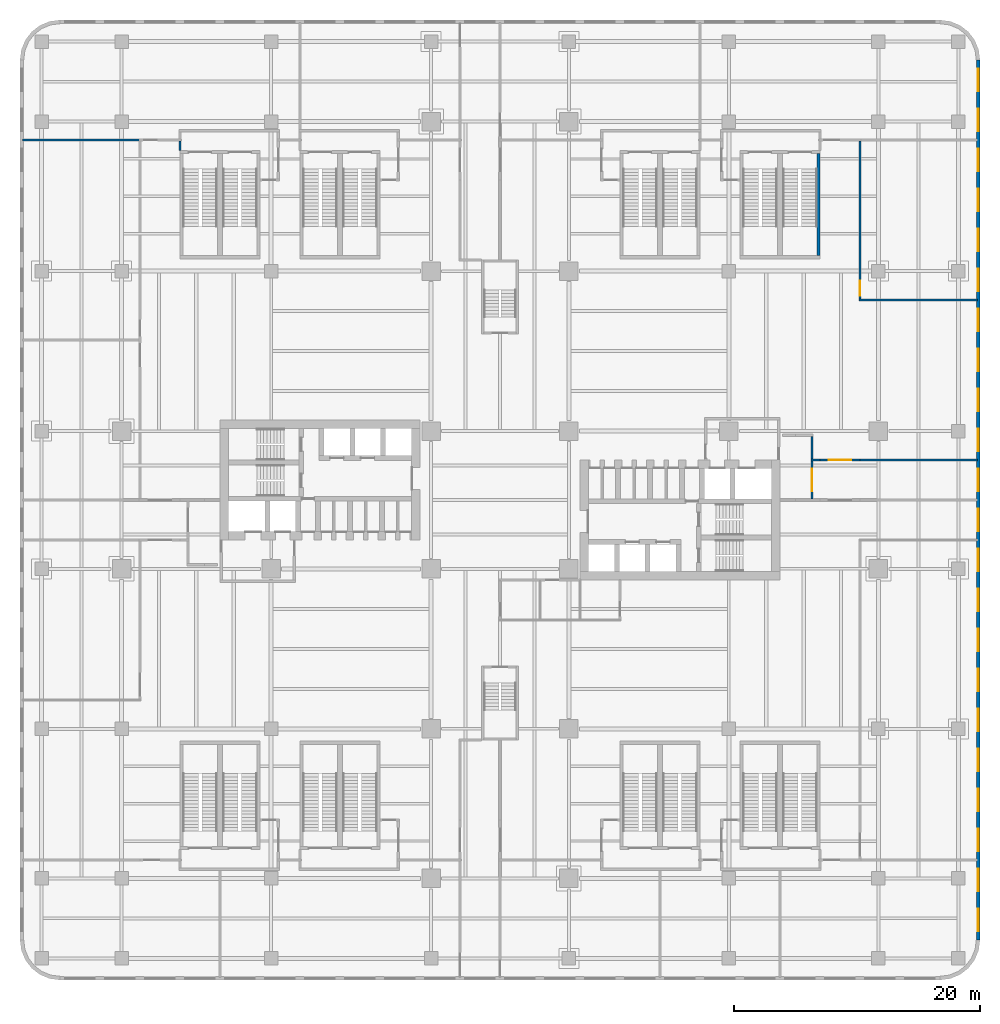
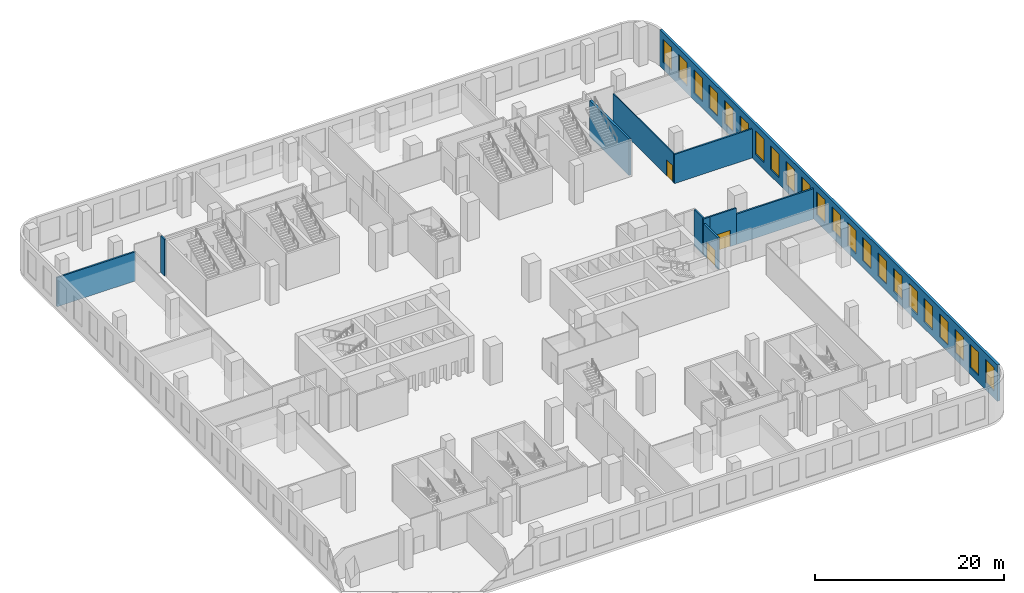
# One storey, part 12 of 17: 22 windows, 11 walls, 3 doors, 25 openings.
"""IFC4 building model written with IfcOpenShell, lengths in metres."""

from ifc_helpers import new_model, si_unit, direction, frame, frame_2d, origin, place, context, subcontext, project, spatial, rectangle, extrude, source, transform, mapped, material, layer, layer_set, type_object, element, fill, save


model = new_model("IFC4")

# Units and contexts
model_context = context("Model", 3, precision=1e-05, world=origin(), true_north=direction((0.0, 1.0)))
body_context = subcontext(model_context, "Body", "Model", "MODEL_VIEW")
ifc_project = project(units=[si_unit("LENGTHUNIT", "METRE"), si_unit("AREAUNIT", "SQUARE_METRE"), si_unit("VOLUMEUNIT", "CUBIC_METRE"), si_unit("PLANEANGLEUNIT", "RADIAN"), si_unit("MASSUNIT", "GRAM", prefix="KILO")], contexts=[model_context])

# Site, building, storey
site_placement = place(None, origin())
site = spatial("IfcSite", under=ifc_project, at=site_placement, CompositionType="ELEMENT")
building_placement = place(site_placement, origin())
building = spatial("IfcBuilding", under=site, at=building_placement, Name="Trellis Farm Tower", CompositionType="ELEMENT")
storey_placement = place(building_placement, frame((0.0, 0.0, 19.0)))
storey = spatial("IfcBuildingStorey", under=building, at=storey_placement, Name="L03", CompositionType="ELEMENT", Elevation=19.0)

# Wall, opening, door
ifc_material_1 = material(Name="Lightweight blockwork, plastered", Category="masonry")
ifc_layer_1 = layer(ifc_material_1, 0.199951171875)
ifc_layer_set_1 = layer_set([ifc_layer_1], Name="BLOCK WALL 200 EI 120")
wall_type_1 = type_object("IfcWallType", Name="BLOCK WALL 200 EI 120", PredefinedType="PARTITIONING", material=ifc_layer_set_1)
shared_shape_1 = source(origin(), body_context, "Body", "SweptSolid", [
    extrude(rectangle(XDim=3.25, YDim=0.199951171875, at=frame_2d((1.625, 0.0))), origin(), (0.0, 0.0, 1.0), 4.699951171875),
])
wall_1_placement = place(storey_placement, frame((26.0, 3.25, 0.0), z_axis=(0.0, 0.0, 1.0), x_axis=(1.0, 0.0, 0.0)))
wall_1 = element("IfcWall", 1, at=wall_1_placement, inside=storey, type_object=wall_type_1, Name="Partition PW3", PredefinedType="PARTITIONING", context=body_context, shape_type="MappedRepresentation", body=[
    mapped(shared_shape_1, transform((0.0, 0.0, 0.0))),
])
shared_shape_2 = source(origin(), body_context, "Body", "SweptSolid", [
    extrude(rectangle(XDim=1.800048828125, YDim=2.10009765625, at=frame_2d((0.89990234375, 1.050048828125))), frame((0.0, 0.110107421875, 0.0), z_axis=(0.0, -1.0, 0.0), x_axis=(1.0, 0.0, 0.0)), (0.0, 0.0, 1.0), 0.22021484375),
])
opening_1_placement = place(wall_1_placement, frame((0.72509765625, 0.0, 0.0)))
opening_1 = element("IfcOpeningElement", 2, at=opening_1_placement, cuts=wall_1, Name="Opening D412", PredefinedType="OPENING", context=body_context, shape_type="MappedRepresentation", body=[
    mapped(shared_shape_2, transform((0.0, 0.0, 0.0))),
])
ifc_material_2 = material(Name="Fire-rated timber door leaf in a hollow metal frame", Category="wood")
door_type_1 = type_object("IfcDoorType", Name="DOOR PAIR 1800x2100 FD60", OperationType="NOTDEFINED", PredefinedType="DOOR", material=ifc_material_2)
shared_shape_3 = source(origin(), body_context, "Body", "SweptSolid", [
    extrude(rectangle(XDim=1.800048828125, YDim=2.10009765625, at=frame_2d((0.89990234375, 1.050048828125))), frame((0.0, 0.02490234375, 0.0), z_axis=(0.0, -1.0, 0.0), x_axis=(1.0, 0.0, 0.0)), (0.0, 0.0, 1.0), 0.050048828125),
])
door_1_placement = place(opening_1_placement, origin())
door_1 = element("IfcDoor", 3, at=door_1_placement, inside=storey, type_object=door_type_1, Name="Door D412", OperationType="DOUBLE_DOOR_SINGLE_SWING", OverallHeight=2.10009765625, OverallWidth=1.800048828125, PredefinedType="DOOR", context=body_context, shape_type="MappedRepresentation", body=[
    mapped(shared_shape_3, transform((0.0, 0.0, 0.0))),
])
fill(opening_1, door_1)

# Wall
ifc_material_3 = material(Name="Concrete C80/95", Category="concrete")
ifc_layer_2 = layer(ifc_material_3, 0.25)
ifc_layer_set_2 = layer_set([ifc_layer_2], Name="CORE STAIR ENCLOSURE WALL 250 CONCRETE C80/95")
wall_type_2 = type_object("IfcWallType", Name="CORE STAIR ENCLOSURE WALL 250 CONCRETE C80/95", PredefinedType="SHEAR", material=ifc_layer_set_2)
shared_shape_4 = source(origin(), body_context, "Body", "SweptSolid", [
    extrude(rectangle(XDim=8.2998046875, YDim=0.25, at=frame_2d((4.14990234375, 0.0))), origin(), (0.0, 0.0, 1.0), 4.699951171875),
])
wall_2_placement = place(storey_placement, frame((25.875, 19.85009765625, 0.0), z_axis=(0.0, 0.0, 1.0), x_axis=(0.0, 1.0, 0.0)))
element("IfcWall", 4, at=wall_2_placement, inside=storey, type_object=wall_type_2, Name="Podium stair enclosure wall", PredefinedType="SHEAR", context=body_context, shape_type="MappedRepresentation", body=[
    mapped(shared_shape_4, transform((0.0, 0.0, 0.0))),
])

# Wall, openings, windows
ifc_material_4 = material(Name="Sandstone faced insulated wall", Category="masonry")
ifc_layer_3 = layer(ifc_material_4, 0.300048828125)
ifc_layer_set_3 = layer_set([ifc_layer_3], Name="STONE CLAD EXTERNAL WALL 300")
wall_type_3 = type_object("IfcWallType", Name="STONE CLAD EXTERNAL WALL 300", PredefinedType="SOLIDWALL", material=ifc_layer_set_3)
shared_shape_5 = source(origin(), body_context, "Body", "SweptSolid", [
    extrude(rectangle(XDim=71.5, YDim=0.300048828125, at=frame_2d((35.75, 0.0))), origin(), (0.0, 0.0, 1.0), 4.699951171875),
])
wall_3_placement = place(storey_placement, frame((38.85009765625, -35.75, 0.0), z_axis=(0.0, 0.0, 1.0), x_axis=(0.0, 1.0, 0.0)))
wall_3 = element("IfcWall", 5, at=wall_3_placement, inside=storey, type_object=wall_type_3, Name="EW2 F01", PredefinedType="SOLIDWALL", context=body_context, shape_type="MappedRepresentation", body=[
    mapped(shared_shape_5, transform((0.0, 0.0, 0.0))),
])
shared_shape_6 = source(origin(), body_context, "Body", "SweptSolid", [
    extrude(rectangle(XDim=1.800048828125, YDim=3.0, at=frame_2d((0.89990234375, 1.5))), frame((0.0, 0.16015625, 0.0), z_axis=(0.0, -1.0, 0.0), x_axis=(1.0, 0.0, 0.0)), (0.0, 0.0, 1.0), 0.3203125),
])
opening_2_placement = place(wall_3_placement, frame((0.72509765625, 0.0, 0.89990234375)))
opening_2 = element("IfcOpeningElement", 6, at=opening_2_placement, cuts=wall_3, Name="Opening WN2", PredefinedType="OPENING", context=body_context, shape_type="MappedRepresentation", body=[
    mapped(shared_shape_6, transform((0.0, 0.0, 0.0))),
])
opening_3_placement = place(wall_3_placement, frame((3.97509765625, 0.0, 0.89990234375)))
opening_3 = element("IfcOpeningElement", 7, at=opening_3_placement, cuts=wall_3, Name="Opening WN2", PredefinedType="OPENING", context=body_context, shape_type="MappedRepresentation", body=[
    mapped(shared_shape_6, transform((0.0, 0.0, 0.0))),
])
opening_4_placement = place(wall_3_placement, frame((7.22509765625, 0.0, 0.89990234375)))
opening_4 = element("IfcOpeningElement", 8, at=opening_4_placement, cuts=wall_3, Name="Opening WN2", PredefinedType="OPENING", context=body_context, shape_type="MappedRepresentation", body=[
    mapped(shared_shape_6, transform((0.0, 0.0, 0.0))),
])
opening_5_placement = place(wall_3_placement, frame((10.47509765625, 0.0, 0.89990234375)))
opening_5 = element("IfcOpeningElement", 9, at=opening_5_placement, cuts=wall_3, Name="Opening WN2", PredefinedType="OPENING", context=body_context, shape_type="MappedRepresentation", body=[
    mapped(shared_shape_6, transform((0.0, 0.0, 0.0))),
])
opening_6_placement = place(wall_3_placement, frame((13.72509765625, 0.0, 0.89990234375)))
opening_6 = element("IfcOpeningElement", 10, at=opening_6_placement, cuts=wall_3, Name="Opening WN2", PredefinedType="OPENING", context=body_context, shape_type="MappedRepresentation", body=[
    mapped(shared_shape_6, transform((0.0, 0.0, 0.0))),
])
opening_7_placement = place(wall_3_placement, frame((16.97509765625, 0.0, 0.89990234375)))
opening_7 = element("IfcOpeningElement", 11, at=opening_7_placement, cuts=wall_3, Name="Opening WN2", PredefinedType="OPENING", context=body_context, shape_type="MappedRepresentation", body=[
    mapped(shared_shape_6, transform((0.0, 0.0, 0.0))),
])
opening_8_placement = place(wall_3_placement, frame((20.22509765625, 0.0, 0.89990234375)))
opening_8 = element("IfcOpeningElement", 12, at=opening_8_placement, cuts=wall_3, Name="Opening WN2", PredefinedType="OPENING", context=body_context, shape_type="MappedRepresentation", body=[
    mapped(shared_shape_6, transform((0.0, 0.0, 0.0))),
])
opening_9_placement = place(wall_3_placement, frame((23.47509765625, 0.0, 0.89990234375)))
opening_9 = element("IfcOpeningElement", 13, at=opening_9_placement, cuts=wall_3, Name="Opening WN2", PredefinedType="OPENING", context=body_context, shape_type="MappedRepresentation", body=[
    mapped(shared_shape_6, transform((0.0, 0.0, 0.0))),
])
opening_10_placement = place(wall_3_placement, frame((26.72509765625, 0.0, 0.89990234375)))
opening_10 = element("IfcOpeningElement", 14, at=opening_10_placement, cuts=wall_3, Name="Opening WN2", PredefinedType="OPENING", context=body_context, shape_type="MappedRepresentation", body=[
    mapped(shared_shape_6, transform((0.0, 0.0, 0.0))),
])
opening_11_placement = place(wall_3_placement, frame((29.97509765625, 0.0, 0.89990234375)))
opening_11 = element("IfcOpeningElement", 15, at=opening_11_placement, cuts=wall_3, Name="Opening WN2", PredefinedType="OPENING", context=body_context, shape_type="MappedRepresentation", body=[
    mapped(shared_shape_6, transform((0.0, 0.0, 0.0))),
])
opening_12_placement = place(wall_3_placement, frame((33.22509765625, 0.0, 0.89990234375)))
opening_12 = element("IfcOpeningElement", 16, at=opening_12_placement, cuts=wall_3, Name="Opening WN2", PredefinedType="OPENING", context=body_context, shape_type="MappedRepresentation", body=[
    mapped(shared_shape_6, transform((0.0, 0.0, 0.0))),
])
opening_13_placement = place(wall_3_placement, frame((36.47509765625, 0.0, 0.89990234375)))
opening_13 = element("IfcOpeningElement", 17, at=opening_13_placement, cuts=wall_3, Name="Opening WN2", PredefinedType="OPENING", context=body_context, shape_type="MappedRepresentation", body=[
    mapped(shared_shape_6, transform((0.0, 0.0, 0.0))),
])
opening_14_placement = place(wall_3_placement, frame((39.72509765625, 0.0, 0.89990234375)))
opening_14 = element("IfcOpeningElement", 18, at=opening_14_placement, cuts=wall_3, Name="Opening WN2", PredefinedType="OPENING", context=body_context, shape_type="MappedRepresentation", body=[
    mapped(shared_shape_6, transform((0.0, 0.0, 0.0))),
])
opening_15_placement = place(wall_3_placement, frame((42.97509765625, 0.0, 0.89990234375)))
opening_15 = element("IfcOpeningElement", 19, at=opening_15_placement, cuts=wall_3, Name="Opening WN2", PredefinedType="OPENING", context=body_context, shape_type="MappedRepresentation", body=[
    mapped(shared_shape_6, transform((0.0, 0.0, 0.0))),
])
opening_16_placement = place(wall_3_placement, frame((46.22509765625, 0.0, 0.89990234375)))
opening_16 = element("IfcOpeningElement", 20, at=opening_16_placement, cuts=wall_3, Name="Opening WN2", PredefinedType="OPENING", context=body_context, shape_type="MappedRepresentation", body=[
    mapped(shared_shape_6, transform((0.0, 0.0, 0.0))),
])
opening_17_placement = place(wall_3_placement, frame((49.47509765625, 0.0, 0.89990234375)))
opening_17 = element("IfcOpeningElement", 21, at=opening_17_placement, cuts=wall_3, Name="Opening WN2", PredefinedType="OPENING", context=body_context, shape_type="MappedRepresentation", body=[
    mapped(shared_shape_6, transform((0.0, 0.0, 0.0))),
])
opening_18_placement = place(wall_3_placement, frame((52.72509765625, 0.0, 0.89990234375)))
opening_18 = element("IfcOpeningElement", 22, at=opening_18_placement, cuts=wall_3, Name="Opening WN2", PredefinedType="OPENING", context=body_context, shape_type="MappedRepresentation", body=[
    mapped(shared_shape_6, transform((0.0, 0.0, 0.0))),
])
opening_19_placement = place(wall_3_placement, frame((55.97509765625, 0.0, 0.89990234375)))
opening_19 = element("IfcOpeningElement", 23, at=opening_19_placement, cuts=wall_3, Name="Opening WN2", PredefinedType="OPENING", context=body_context, shape_type="MappedRepresentation", body=[
    mapped(shared_shape_6, transform((0.0, 0.0, 0.0))),
])
opening_20_placement = place(wall_3_placement, frame((59.22509765625, 0.0, 0.89990234375)))
opening_20 = element("IfcOpeningElement", 24, at=opening_20_placement, cuts=wall_3, Name="Opening WN2", PredefinedType="OPENING", context=body_context, shape_type="MappedRepresentation", body=[
    mapped(shared_shape_6, transform((0.0, 0.0, 0.0))),
])
opening_21_placement = place(wall_3_placement, frame((62.47509765625, 0.0, 0.89990234375)))
opening_21 = element("IfcOpeningElement", 25, at=opening_21_placement, cuts=wall_3, Name="Opening WN2", PredefinedType="OPENING", context=body_context, shape_type="MappedRepresentation", body=[
    mapped(shared_shape_6, transform((0.0, 0.0, 0.0))),
])
opening_22_placement = place(wall_3_placement, frame((65.72509765625, 0.0, 0.89990234375)))
opening_22 = element("IfcOpeningElement", 26, at=opening_22_placement, cuts=wall_3, Name="Opening WN2", PredefinedType="OPENING", context=body_context, shape_type="MappedRepresentation", body=[
    mapped(shared_shape_6, transform((0.0, 0.0, 0.0))),
])
opening_23_placement = place(wall_3_placement, frame((68.97509765625, 0.0, 0.89990234375)))
opening_23 = element("IfcOpeningElement", 27, at=opening_23_placement, cuts=wall_3, Name="Opening WN2", PredefinedType="OPENING", context=body_context, shape_type="MappedRepresentation", body=[
    mapped(shared_shape_6, transform((0.0, 0.0, 0.0))),
])
ifc_material_5 = material(Name="Clear insulated glass", Category="glass")
window_type = type_object("IfcWindowType", Name="PODIUM WINDOW 1800x3000", PartitioningType="SINGLE_PANEL", PredefinedType="WINDOW", material=ifc_material_5)
shared_shape_7 = source(origin(), body_context, "Body", "SweptSolid", [
    extrude(rectangle(XDim=1.800048828125, YDim=3.0, at=frame_2d((0.89990234375, 1.5))), frame((0.0, 0.030029296875, 0.0), z_axis=(0.0, -1.0, 0.0), x_axis=(1.0, 0.0, 0.0)), (0.0, 0.0, 1.0), 0.06005859375),
])
window_1_placement = place(opening_2_placement, origin())
window_1 = element("IfcWindow", 28, at=window_1_placement, inside=storey, type_object=window_type, Name="WN2 001", OverallHeight=3.0, OverallWidth=1.800048828125, PartitioningType="SINGLE_PANEL", PredefinedType="WINDOW", context=body_context, shape_type="MappedRepresentation", body=[
    mapped(shared_shape_7, transform((0.0, 0.0, 0.0))),
])
fill(opening_2, window_1)
window_2_placement = place(opening_3_placement, origin())
window_2 = element("IfcWindow", 29, at=window_2_placement, inside=storey, type_object=window_type, Name="WN2 002", OverallHeight=3.0, OverallWidth=1.800048828125, PartitioningType="SINGLE_PANEL", PredefinedType="WINDOW", context=body_context, shape_type="MappedRepresentation", body=[
    mapped(shared_shape_7, transform((0.0, 0.0, 0.0))),
])
fill(opening_3, window_2)
window_3_placement = place(opening_4_placement, origin())
window_3 = element("IfcWindow", 30, at=window_3_placement, inside=storey, type_object=window_type, Name="WN2 003", OverallHeight=3.0, OverallWidth=1.800048828125, PartitioningType="SINGLE_PANEL", PredefinedType="WINDOW", context=body_context, shape_type="MappedRepresentation", body=[
    mapped(shared_shape_7, transform((0.0, 0.0, 0.0))),
])
fill(opening_4, window_3)
window_4_placement = place(opening_5_placement, origin())
window_4 = element("IfcWindow", 31, at=window_4_placement, inside=storey, type_object=window_type, Name="WN2 004", OverallHeight=3.0, OverallWidth=1.800048828125, PartitioningType="SINGLE_PANEL", PredefinedType="WINDOW", context=body_context, shape_type="MappedRepresentation", body=[
    mapped(shared_shape_7, transform((0.0, 0.0, 0.0))),
])
fill(opening_5, window_4)
window_5_placement = place(opening_6_placement, origin())
window_5 = element("IfcWindow", 32, at=window_5_placement, inside=storey, type_object=window_type, Name="WN2 005", OverallHeight=3.0, OverallWidth=1.800048828125, PartitioningType="SINGLE_PANEL", PredefinedType="WINDOW", context=body_context, shape_type="MappedRepresentation", body=[
    mapped(shared_shape_7, transform((0.0, 0.0, 0.0))),
])
fill(opening_6, window_5)
window_6_placement = place(opening_7_placement, origin())
window_6 = element("IfcWindow", 33, at=window_6_placement, inside=storey, type_object=window_type, Name="WN2 006", OverallHeight=3.0, OverallWidth=1.800048828125, PartitioningType="SINGLE_PANEL", PredefinedType="WINDOW", context=body_context, shape_type="MappedRepresentation", body=[
    mapped(shared_shape_7, transform((0.0, 0.0, 0.0))),
])
fill(opening_7, window_6)
window_7_placement = place(opening_8_placement, origin())
window_7 = element("IfcWindow", 34, at=window_7_placement, inside=storey, type_object=window_type, Name="WN2 007", OverallHeight=3.0, OverallWidth=1.800048828125, PartitioningType="SINGLE_PANEL", PredefinedType="WINDOW", context=body_context, shape_type="MappedRepresentation", body=[
    mapped(shared_shape_7, transform((0.0, 0.0, 0.0))),
])
fill(opening_8, window_7)
window_8_placement = place(opening_9_placement, origin())
window_8 = element("IfcWindow", 35, at=window_8_placement, inside=storey, type_object=window_type, Name="WN2 008", OverallHeight=3.0, OverallWidth=1.800048828125, PartitioningType="SINGLE_PANEL", PredefinedType="WINDOW", context=body_context, shape_type="MappedRepresentation", body=[
    mapped(shared_shape_7, transform((0.0, 0.0, 0.0))),
])
fill(opening_9, window_8)
window_9_placement = place(opening_10_placement, origin())
window_9 = element("IfcWindow", 36, at=window_9_placement, inside=storey, type_object=window_type, Name="WN2 009", OverallHeight=3.0, OverallWidth=1.800048828125, PartitioningType="SINGLE_PANEL", PredefinedType="WINDOW", context=body_context, shape_type="MappedRepresentation", body=[
    mapped(shared_shape_7, transform((0.0, 0.0, 0.0))),
])
fill(opening_10, window_9)
window_10_placement = place(opening_11_placement, origin())
window_10 = element("IfcWindow", 37, at=window_10_placement, inside=storey, type_object=window_type, Name="WN2 010", OverallHeight=3.0, OverallWidth=1.800048828125, PartitioningType="SINGLE_PANEL", PredefinedType="WINDOW", context=body_context, shape_type="MappedRepresentation", body=[
    mapped(shared_shape_7, transform((0.0, 0.0, 0.0))),
])
fill(opening_11, window_10)
window_11_placement = place(opening_12_placement, origin())
window_11 = element("IfcWindow", 38, at=window_11_placement, inside=storey, type_object=window_type, Name="WN2 011", OverallHeight=3.0, OverallWidth=1.800048828125, PartitioningType="SINGLE_PANEL", PredefinedType="WINDOW", context=body_context, shape_type="MappedRepresentation", body=[
    mapped(shared_shape_7, transform((0.0, 0.0, 0.0))),
])
fill(opening_12, window_11)
window_12_placement = place(opening_13_placement, origin())
window_12 = element("IfcWindow", 39, at=window_12_placement, inside=storey, type_object=window_type, Name="WN2 012", OverallHeight=3.0, OverallWidth=1.800048828125, PartitioningType="SINGLE_PANEL", PredefinedType="WINDOW", context=body_context, shape_type="MappedRepresentation", body=[
    mapped(shared_shape_7, transform((0.0, 0.0, 0.0))),
])
fill(opening_13, window_12)
window_13_placement = place(opening_14_placement, origin())
window_13 = element("IfcWindow", 40, at=window_13_placement, inside=storey, type_object=window_type, Name="WN2 013", OverallHeight=3.0, OverallWidth=1.800048828125, PartitioningType="SINGLE_PANEL", PredefinedType="WINDOW", context=body_context, shape_type="MappedRepresentation", body=[
    mapped(shared_shape_7, transform((0.0, 0.0, 0.0))),
])
fill(opening_14, window_13)
window_14_placement = place(opening_15_placement, origin())
window_14 = element("IfcWindow", 41, at=window_14_placement, inside=storey, type_object=window_type, Name="WN2 014", OverallHeight=3.0, OverallWidth=1.800048828125, PartitioningType="SINGLE_PANEL", PredefinedType="WINDOW", context=body_context, shape_type="MappedRepresentation", body=[
    mapped(shared_shape_7, transform((0.0, 0.0, 0.0))),
])
fill(opening_15, window_14)
window_15_placement = place(opening_16_placement, origin())
window_15 = element("IfcWindow", 42, at=window_15_placement, inside=storey, type_object=window_type, Name="WN2 015", OverallHeight=3.0, OverallWidth=1.800048828125, PartitioningType="SINGLE_PANEL", PredefinedType="WINDOW", context=body_context, shape_type="MappedRepresentation", body=[
    mapped(shared_shape_7, transform((0.0, 0.0, 0.0))),
])
fill(opening_16, window_15)
window_16_placement = place(opening_17_placement, origin())
window_16 = element("IfcWindow", 43, at=window_16_placement, inside=storey, type_object=window_type, Name="WN2 016", OverallHeight=3.0, OverallWidth=1.800048828125, PartitioningType="SINGLE_PANEL", PredefinedType="WINDOW", context=body_context, shape_type="MappedRepresentation", body=[
    mapped(shared_shape_7, transform((0.0, 0.0, 0.0))),
])
fill(opening_17, window_16)
window_17_placement = place(opening_18_placement, origin())
window_17 = element("IfcWindow", 44, at=window_17_placement, inside=storey, type_object=window_type, Name="WN2 017", OverallHeight=3.0, OverallWidth=1.800048828125, PartitioningType="SINGLE_PANEL", PredefinedType="WINDOW", context=body_context, shape_type="MappedRepresentation", body=[
    mapped(shared_shape_7, transform((0.0, 0.0, 0.0))),
])
fill(opening_18, window_17)
window_18_placement = place(opening_19_placement, origin())
window_18 = element("IfcWindow", 45, at=window_18_placement, inside=storey, type_object=window_type, Name="WN2 018", OverallHeight=3.0, OverallWidth=1.800048828125, PartitioningType="SINGLE_PANEL", PredefinedType="WINDOW", context=body_context, shape_type="MappedRepresentation", body=[
    mapped(shared_shape_7, transform((0.0, 0.0, 0.0))),
])
fill(opening_19, window_18)
window_19_placement = place(opening_20_placement, origin())
window_19 = element("IfcWindow", 46, at=window_19_placement, inside=storey, type_object=window_type, Name="WN2 019", OverallHeight=3.0, OverallWidth=1.800048828125, PartitioningType="SINGLE_PANEL", PredefinedType="WINDOW", context=body_context, shape_type="MappedRepresentation", body=[
    mapped(shared_shape_7, transform((0.0, 0.0, 0.0))),
])
fill(opening_20, window_19)
window_20_placement = place(opening_21_placement, origin())
window_20 = element("IfcWindow", 47, at=window_20_placement, inside=storey, type_object=window_type, Name="WN2 020", OverallHeight=3.0, OverallWidth=1.800048828125, PartitioningType="SINGLE_PANEL", PredefinedType="WINDOW", context=body_context, shape_type="MappedRepresentation", body=[
    mapped(shared_shape_7, transform((0.0, 0.0, 0.0))),
])
fill(opening_21, window_20)
window_21_placement = place(opening_22_placement, origin())
window_21 = element("IfcWindow", 48, at=window_21_placement, inside=storey, type_object=window_type, Name="WN2 021", OverallHeight=3.0, OverallWidth=1.800048828125, PartitioningType="SINGLE_PANEL", PredefinedType="WINDOW", context=body_context, shape_type="MappedRepresentation", body=[
    mapped(shared_shape_7, transform((0.0, 0.0, 0.0))),
])
fill(opening_22, window_21)
window_22_placement = place(opening_23_placement, origin())
window_22 = element("IfcWindow", 49, at=window_22_placement, inside=storey, type_object=window_type, Name="WN2 022", OverallHeight=3.0, OverallWidth=1.800048828125, PartitioningType="SINGLE_PANEL", PredefinedType="WINDOW", context=body_context, shape_type="MappedRepresentation", body=[
    mapped(shared_shape_7, transform((0.0, 0.0, 0.0))),
])
fill(opening_23, window_22)

# Walls
shared_shape_8 = source(origin(), body_context, "Body", "SweptSolid", [
    extrude(rectangle(XDim=0.78759765625, YDim=0.199951171875, at=frame_2d((0.393798828125, 0.0))), origin(), (0.0, 0.0, 1.0), 4.699951171875),
])
wall_4_placement = place(storey_placement, frame((-26.0, 28.39990234375, 0.0), z_axis=(0.0, 0.0, 1.0), x_axis=(0.0, 1.0, 0.0)))
element("IfcWall", 50, at=wall_4_placement, inside=storey, type_object=wall_type_1, Name="Partition PW3", PredefinedType="PARTITIONING", context=body_context, shape_type="MappedRepresentation", body=[
    mapped(shared_shape_8, transform((0.0, 0.0, 0.0))),
])
shared_shape_9 = source(origin(), body_context, "Body", "SweptSolid", [
    extrude(rectangle(XDim=9.550048828125, YDim=0.199951171875, at=frame_2d((4.77490234375, 0.0))), origin(), (0.0, 0.0, 1.0), 3.917724609375),
])
wall_5_placement = place(storey_placement, frame((29.25, 3.25, 0.0), z_axis=(0.0, 0.0, 1.0), x_axis=(1.0, 0.0, 0.0)))
element("IfcWall", 51, at=wall_5_placement, inside=storey, type_object=wall_type_1, Name="Partition PW3", PredefinedType="PARTITIONING", context=body_context, shape_type="MappedRepresentation", body=[
    mapped(shared_shape_9, transform((0.0, 0.0, 0.0))),
])

# Wall, opening, door
shared_shape_10 = source(origin(), body_context, "Body", "SweptSolid", [
    extrude(rectangle(XDim=3.0498046875, YDim=0.199951171875, at=frame_2d((1.52490234375, 0.0))), origin(), (0.0, 0.0, 1.0), 4.077392578125),
])
wall_6_placement = place(storey_placement, frame((25.35009765625, 3.14990234375, 0.0), z_axis=(0.0, 0.0, 1.0), x_axis=(0.0, -1.0, 0.0)))
wall_6 = element("IfcWall", 52, at=wall_6_placement, inside=storey, type_object=wall_type_1, Name="Partition PW3", PredefinedType="PARTITIONING", context=body_context, shape_type="MappedRepresentation", body=[
    mapped(shared_shape_10, transform((0.0, 0.0, 0.0))),
])
opening_24_placement = place(wall_6_placement, frame((0.625, 0.0, 0.0)))
opening_24 = element("IfcOpeningElement", 53, at=opening_24_placement, cuts=wall_6, Name="Opening D411", PredefinedType="OPENING", context=body_context, shape_type="MappedRepresentation", body=[
    mapped(shared_shape_2, transform((0.0, 0.0, 0.0))),
])
door_2_placement = place(opening_24_placement, origin())
door_2 = element("IfcDoor", 54, at=door_2_placement, inside=storey, type_object=door_type_1, Name="Door D411", OperationType="DOUBLE_DOOR_SINGLE_SWING", OverallHeight=2.10009765625, OverallWidth=1.800048828125, PredefinedType="DOOR", context=body_context, shape_type="MappedRepresentation", body=[
    mapped(shared_shape_3, transform((0.0, 0.0, 0.0))),
])
fill(opening_24, door_2)

# Walls
shared_shape_11 = source(origin(), body_context, "Body", "SweptSolid", [
    extrude(rectangle(XDim=1.7998046875, YDim=0.199951171875, at=frame_2d((0.89990234375, 0.0))), origin(), (0.0, 0.0, 1.0), 4.699951171875),
])
wall_7_placement = place(storey_placement, frame((25.35009765625, 3.35009765625, 0.0), z_axis=(0.0, 0.0, 1.0), x_axis=(0.0, 1.0, 0.0)))
element("IfcWall", 55, at=wall_7_placement, inside=storey, type_object=wall_type_1, Name="Partition PW3", PredefinedType="PARTITIONING", context=body_context, shape_type="MappedRepresentation", body=[
    mapped(shared_shape_11, transform((0.0, 0.0, 0.0))),
])
shared_shape_12 = source(origin(), body_context, "Body", "SweptSolid", [
    extrude(rectangle(XDim=9.612548828125, YDim=0.199951171875, at=frame_2d((4.80615234375, 0.0))), origin(), (0.0, 0.0, 1.0), 3.76171875),
])
for number, where, z_axis, x_axis, name in (
    (56, (29.1875, 16.25, 0.0), (0.0, 0.0, 1.0), (1.0, 0.0, 0.0), "Partition PW3"),
    (57, (-38.800048828125, 29.25, 0.0), (0.0, 0.0, 1.0), (1.0, 0.0, 0.0), "Partition PW3"),
):
    element("IfcWall", number, at=place(storey_placement, frame(where, z_axis=z_axis, x_axis=x_axis)), inside=storey, type_object=wall_type_1, Name=name, PredefinedType="PARTITIONING", context=body_context, shape_type="MappedRepresentation", body=[
        mapped(shared_shape_12, transform((0.0, 0.0, 0.0))),
    ])
shared_shape_13 = source(origin(), body_context, "Body", "SweptSolid", [
    extrude(rectangle(XDim=0.75, YDim=0.199951171875, at=frame_2d((0.375, 0.0))), origin(), (0.0, 0.0, 1.0), 4.699951171875),
])
wall_8_placement = place(storey_placement, frame((25.25, 3.25, 0.0), z_axis=(0.0, 0.0, 1.0), x_axis=(1.0, 0.0, 0.0)))
element("IfcWall", 58, at=wall_8_placement, inside=storey, type_object=wall_type_1, Name="Partition PW3", PredefinedType="PARTITIONING", context=body_context, shape_type="MappedRepresentation", body=[
    mapped(shared_shape_13, transform((0.0, 0.0, 0.0))),
])

# Wall, opening, door
ifc_material_6 = material(Name="Plasterboard on steel studs, mineral wool", Category="steel")
ifc_layer_4 = layer(ifc_material_6, 0.125)
ifc_layer_set_4 = layer_set([ifc_layer_4], Name="PARTITION 125 STUD EI 60")
wall_type_4 = type_object("IfcWallType", Name="PARTITION 125 STUD EI 60", PredefinedType="PARTITIONING", material=ifc_layer_set_4)
shared_shape_14 = source(origin(), body_context, "Body", "SweptSolid", [
    extrude(rectangle(XDim=12.7998046875, YDim=0.125, at=frame_2d((6.39990234375, 0.0))), origin(), (0.0, 0.0, 1.0), 3.76171875),
])
wall_9_placement = place(storey_placement, frame((29.25, 29.14990234375, 0.0), z_axis=(0.0, 0.0, 1.0), x_axis=(0.0, -1.0, 0.0)))
wall_9 = element("IfcWall", 59, at=wall_9_placement, inside=storey, type_object=wall_type_4, Name="Partition PW1", PredefinedType="PARTITIONING", context=body_context, shape_type="MappedRepresentation", body=[
    mapped(shared_shape_14, transform((0.0, 0.0, 0.0))),
])
shared_shape_15 = source(origin(), body_context, "Body", "SweptSolid", [
    extrude(rectangle(XDim=1.199951171875, YDim=2.10009765625, at=frame_2d((0.60009765625, 1.050048828125))), frame((0.0, 0.072509765625, 0.0), z_axis=(0.0, -1.0, 0.0), x_axis=(1.0, 0.0, 0.0)), (0.0, 0.0, 1.0), 0.14501953125),
])
opening_25_placement = place(wall_9_placement, frame((11.35009765625, 0.0, 0.0)))
opening_25 = element("IfcOpeningElement", 60, at=opening_25_placement, cuts=wall_9, Name="Opening D605", PredefinedType="OPENING", context=body_context, shape_type="MappedRepresentation", body=[
    mapped(shared_shape_15, transform((0.0, 0.0, 0.0))),
])
door_type_2 = type_object("IfcDoorType", Name="DOOR 1200x2100 FD30S", OperationType="NOTDEFINED", PredefinedType="DOOR", material=ifc_material_2)
shared_shape_16 = source(origin(), body_context, "Body", "SweptSolid", [
    extrude(rectangle(XDim=1.199951171875, YDim=2.10009765625, at=frame_2d((0.60009765625, 1.050048828125))), frame((0.0, 0.02490234375, 0.0), z_axis=(0.0, -1.0, 0.0), x_axis=(1.0, 0.0, 0.0)), (0.0, 0.0, 1.0), 0.050048828125),
])
door_3_placement = place(opening_25_placement, origin())
door_3 = element("IfcDoor", 61, at=door_3_placement, inside=storey, type_object=door_type_2, Name="Door D605", OperationType="SINGLE_SWING_RIGHT", OverallHeight=2.10009765625, OverallWidth=1.199951171875, PredefinedType="DOOR", context=body_context, shape_type="MappedRepresentation", body=[
    mapped(shared_shape_16, transform((0.0, 0.0, 0.0))),
])
fill(opening_25, door_3)

save(model, "model.ifc")
